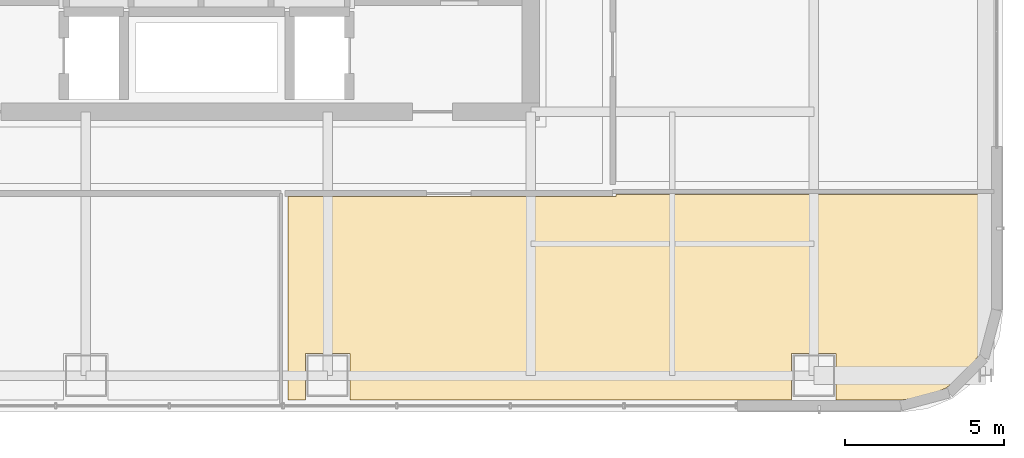
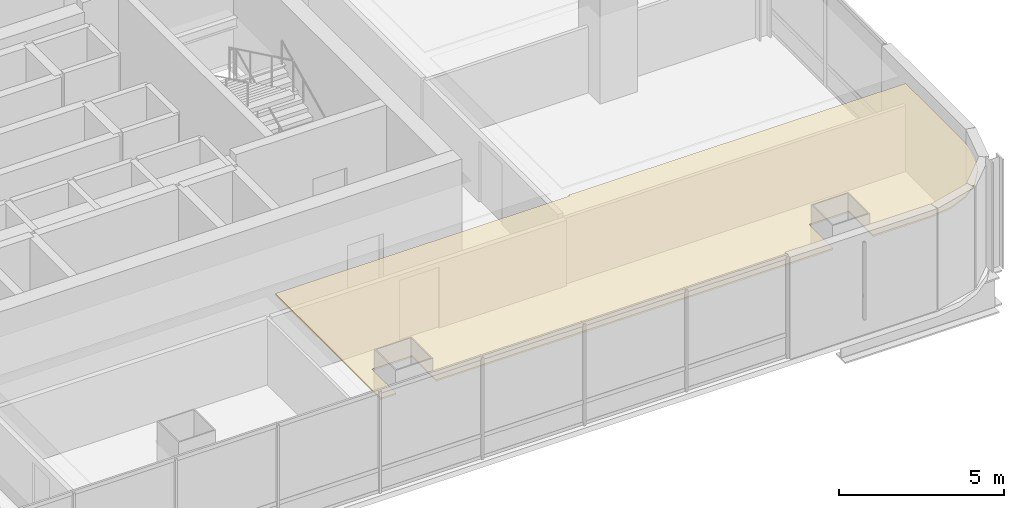
# One storey, part 46 of 51: 1 covering.
"""IFC4 building model written with IfcOpenShell, lengths in metres."""

from ifc_helpers import new_model, si_unit, direction, frame, origin, place, context, subcontext, project, spatial, polyline, outline, extrude, material, layer, layer_set, type_object, element, save


model = new_model("IFC4")

# Units and contexts
model_context = context("Model", 3, precision=1e-05, world=origin(), true_north=direction((0.0, 1.0)))
body_context = subcontext(model_context, "Body", "Model", "MODEL_VIEW")
ifc_project = project(units=[si_unit("LENGTHUNIT", "METRE"), si_unit("AREAUNIT", "SQUARE_METRE"), si_unit("VOLUMEUNIT", "CUBIC_METRE"), si_unit("PLANEANGLEUNIT", "RADIAN"), si_unit("MASSUNIT", "GRAM", prefix="KILO")], contexts=[model_context])

# Site, building, storey
site_placement = place(None, origin())
site = spatial("IfcSite", under=ifc_project, at=site_placement, CompositionType="ELEMENT")
building_placement = place(site_placement, origin())
building = spatial("IfcBuilding", under=site, at=building_placement, Name="Punatoya Terracotta Tower", CompositionType="ELEMENT")
storey_placement = place(building_placement, frame((0.0, 0.0, 279.75)))
storey = spatial("IfcBuildingStorey", under=building, at=storey_placement, Name="L66", CompositionType="ELEMENT", Elevation=279.75)

# Covering
ifc_material = material(Name="Acoustic Mineral Fibre Ceiling")
ifc_layer = layer(ifc_material, 0.06005859375)
ifc_layer_set = layer_set([ifc_layer], Name="Acoustic Mineral Fibre Ceiling")
covering_type = type_object("IfcCoveringType", Name="COV-CEIL-60", PredefinedType="CEILING", material=ifc_layer_set)
covering_placement = place(storey_placement, frame((0.0, 0.0, 3.239990234375)))
element("IfcCovering", 1, at=covering_placement, inside=storey, type_object=covering_type, Name="L66 Open-Plan Collaborative Workshop Room Acoustic Ceiling", PredefinedType="CEILING", context=body_context, shape_type="SweptSolid", body=[
    extrude(outline(polyline([(3.10009765625, -18.27001953125), (3.10009765625, -16.800048828125), (4.5, -16.800048828125), (4.5, -18.27001953125), (18.39990234375, -18.27001953125), (18.39990234375, -16.800048828125), (19.800048828125, -16.800048828125), (19.800048828125, -18.27001953125), (21.8251953125, -18.27001953125), (22.5791015625, -18.1708984375), (23.25830078125, -17.889404296875), (23.841796875, -17.441650390625), (24.289306640625, -16.8583984375), (24.57080078125, -16.178955078125), (24.669921875, -15.425048828125), (24.669921875, -11.81005859375), (12.8701171875, -11.81005859375), (12.8701171875, -11.8701171875), (2.56005859375, -11.8701171875), (2.56005859375, -18.27001953125), (3.10009765625, -18.27001953125)])), origin(), (0.0, 0.0, 1.0), 0.06005859375),
])

save(model, "model.ifc")
